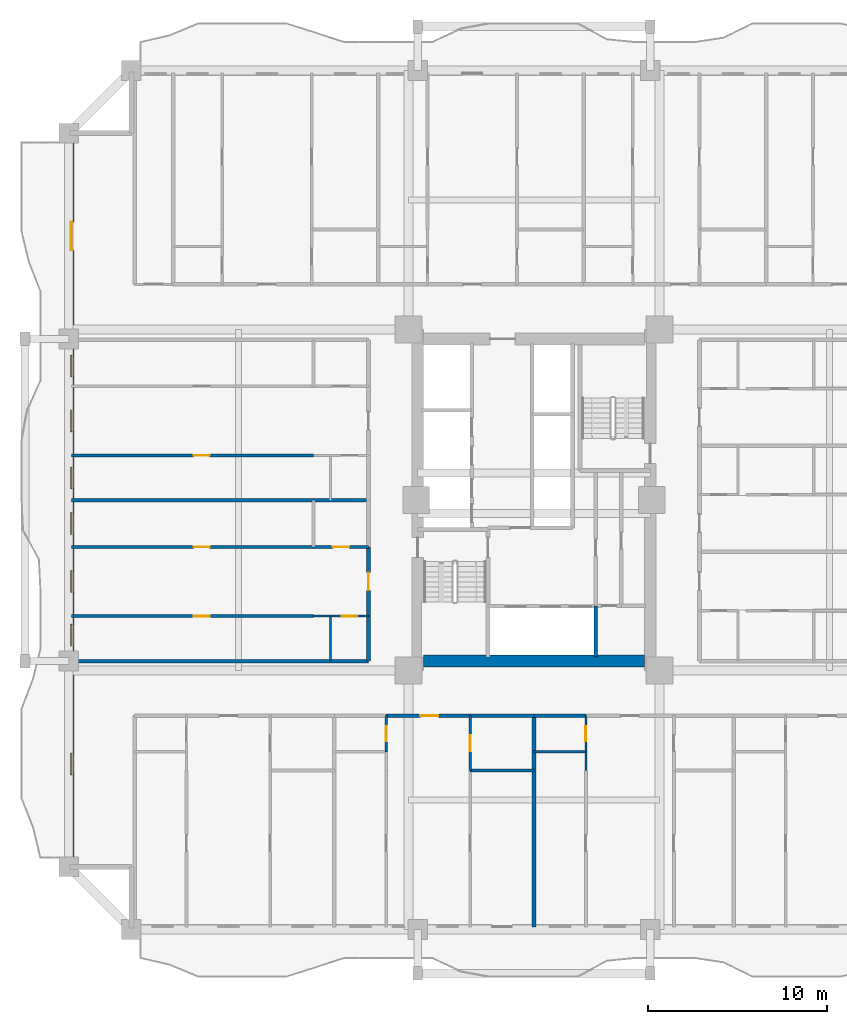
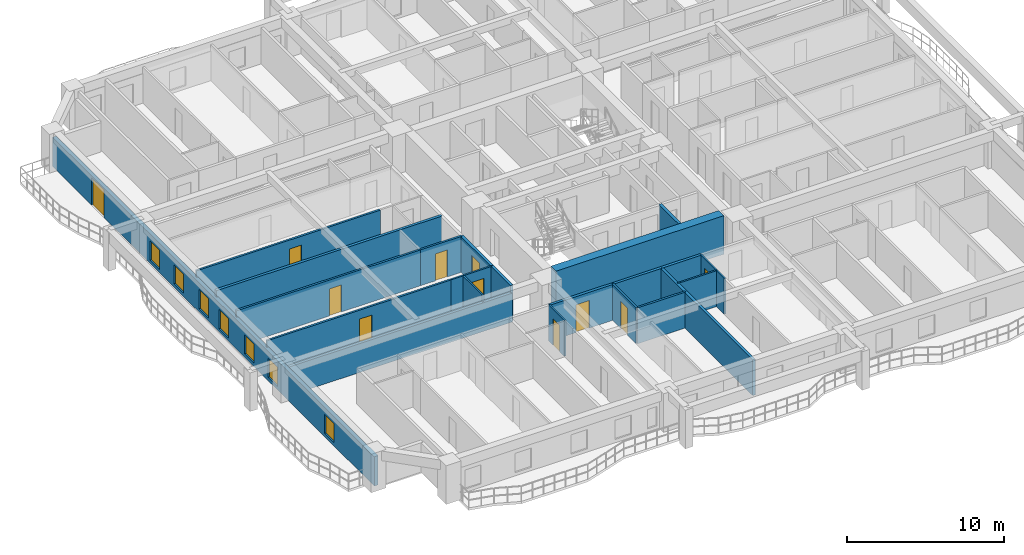
# One storey, part 3 of 16: 24 walls, 11 doors, 7 windows, 18 openings.
"""IFC4 building model written with IfcOpenShell, lengths in metres."""

import ifcopenshell
import ifcopenshell.guid

model = None  # the IFC model being written
_history = None  # IfcOwnerHistory: only IFC2X3 demands one
_inside = {}  # id of a spatial element -> (the spatial element, [elements in it])
_under = {}  # id of a project, library or spatial element -> (it, [spatial elements below it])
_declared = {}  # id of a project -> (the project, [libraries it declares])
_typed = {}  # id of a type object -> (the type object, [elements of that type])
_made_of = {}  # id of a material, layer set ... -> (it, [elements and type objects made of it])


def new_model(schema):
    """Start an empty IFC model of exactly this schema.

    Asked for "IFC4X3", IfcOpenShell would pick the latest addendum, in which some entities
    have other attributes; the version numbers below select the first issue.
    IFC2X3 requires an IfcOwnerHistory on every rooted entity: one is made here for all.
    """
    global model, _history
    if schema == "IFC4X3":
        model = ifcopenshell.file(schema_version=(4, 3, 0, 0))
    else:
        model = ifcopenshell.file(schema=schema)
    _inside.clear()
    _under.clear()
    _declared.clear()
    _typed.clear()
    _made_of.clear()
    _history = None
    if model.schema == "IFC2X3":
        org = make("IfcOrganization", Name="unknown")
        user = make(
            "IfcPersonAndOrganization",
            ThePerson=make("IfcPerson", FamilyName="unknown"),
            TheOrganization=org,
        )
        app = make(
            "IfcApplication",
            ApplicationDeveloper=org,
            Version="unknown",
            ApplicationFullName="unknown",
            ApplicationIdentifier="unknown",
        )
        _history = make(
            "IfcOwnerHistory",
            OwningUser=user,
            OwningApplication=app,
            ChangeAction="ADDED",
            CreationDate=0,
        )
    return model


def make(cls, **values):
    """One entity of the class cls with the attributes given. An attribute that is None is left unset."""
    return model.create_entity(
        cls, **{name: value for name, value in values.items() if value is not None}
    )


def rooted(cls, **values):
    """An entity with a GlobalId (a new one), such as an element, a storey or a relation."""
    return make(cls, GlobalId=ifcopenshell.guid.new(), OwnerHistory=_history, **values)


def si_unit(unit_type, name, prefix=None):
    """IfcSIUnit, for example si_unit("LENGTHUNIT", "METRE", prefix="MILLI")."""
    return make("IfcSIUnit", UnitType=unit_type, Prefix=prefix, Name=name)


def assignment(units):
    """IfcUnitAssignment: the units of a project."""
    return None if units is None else make("IfcUnitAssignment", Units=units)


def point(xyz):
    """IfcCartesianPoint."""
    return None if xyz is None else make("IfcCartesianPoint", Coordinates=xyz)


def direction(xyz):
    """IfcDirection."""
    return None if xyz is None else make("IfcDirection", DirectionRatios=xyz)


def frame(location, z_axis=None, x_axis=None):
    """IfcAxis2Placement3D, a coordinate frame: its origin and axes. An axis left out is left unset."""
    return make(
        "IfcAxis2Placement3D",
        Location=point(location),
        Axis=direction(z_axis),
        RefDirection=direction(x_axis),
    )


def frame_2d(location, x_axis=None):
    """IfcAxis2Placement2D, a coordinate frame in the plane: its origin and x axis."""
    return make(
        "IfcAxis2Placement2D", Location=point(location), RefDirection=direction(x_axis)
    )


def origin():
    """The frame at (0, 0, 0) with its axes left unset."""
    return frame((0.0, 0.0, 0.0))


def place(relative_to, where):
    """IfcLocalPlacement: puts the frame where relative to a parent placement (None: the world)."""
    return make(
        "IfcLocalPlacement", PlacementRelTo=relative_to, RelativePlacement=where
    )


def context(
    kind, dimensions, precision=None, world=None, true_north=None, identifier=None
):
    """IfcGeometricRepresentationContext, for example the 3D "Model" context."""
    return make(
        "IfcGeometricRepresentationContext",
        ContextIdentifier=identifier,
        ContextType=kind,
        CoordinateSpaceDimension=dimensions,
        Precision=precision,
        WorldCoordinateSystem=world,
        TrueNorth=true_north,
    )


def subcontext(parent, identifier, kind, view, scale=None):
    """IfcGeometricRepresentationSubContext, for example "Body" below "Model"."""
    return make(
        "IfcGeometricRepresentationSubContext",
        ContextIdentifier=identifier,
        ContextType=kind,
        ParentContext=parent,
        TargetScale=scale,
        TargetView=view,
    )


def project(units=None, contexts=None):
    """IfcProject with its units and contexts."""
    return rooted(
        "IfcProject",
        Name="project",
        RepresentationContexts=contexts,
        UnitsInContext=assignment(units),
    )


def spatial(cls, under=None, at=None, **own):
    """A site, building, storey or space (cls), placed at a placement, below another one or the project."""
    s = rooted(cls, ObjectPlacement=at, **own)
    if under is not None:
        _under.setdefault(under.id(), (under, []))[1].append(s)
    return s


def profile(cls, at=None, kind="AREA", **sizes):
    """A parametric profile (cls). Its sizes go by their IFC names, for example OverallWidth=200.0."""
    return make(cls, ProfileType=kind, Position=at, **sizes)


def rectangle(**sizes):
    """IfcRectangleProfileDef."""
    return profile("IfcRectangleProfileDef", **sizes)


def extrude(swept, where, along, depth):
    """IfcExtrudedAreaSolid: the profile swept, set in the frame where, extruded along a direction by depth."""
    return make(
        "IfcExtrudedAreaSolid",
        SweptArea=swept,
        Position=where,
        ExtrudedDirection=direction(along),
        Depth=depth,
    )


def shape(context_of_items, identifier, shape_type, items):
    """IfcShapeRepresentation: the items that make up one representation, for example the "Body"."""
    return make(
        "IfcShapeRepresentation",
        ContextOfItems=context_of_items,
        RepresentationIdentifier=identifier,
        RepresentationType=shape_type,
        Items=items,
    )


def source(mapping_origin, context_of_items, identifier, shape_type, items):
    """IfcRepresentationMap: a shape defined once, which mapped items show again and again."""
    return make(
        "IfcRepresentationMap",
        MappingOrigin=mapping_origin,
        MappedRepresentation=shape(context_of_items, identifier, shape_type, items),
    )


def transform(
    local_origin,
    x_axis=None,
    y_axis=None,
    z_axis=None,
    scale=None,
    scale2=None,
    scale3=None,
    uniform=True,
):
    """IfcCartesianTransformationOperator3D, or its non-uniform kind. x_axis, y_axis, z_axis: its Axis1, 2, 3."""
    if uniform:
        return make(
            "IfcCartesianTransformationOperator3D",
            Axis1=direction(x_axis),
            Axis2=direction(y_axis),
            LocalOrigin=point(local_origin),
            Scale=scale,
            Axis3=direction(z_axis),
        )
    return make(
        "IfcCartesianTransformationOperator3DnonUniform",
        Axis1=direction(x_axis),
        Axis2=direction(y_axis),
        LocalOrigin=point(local_origin),
        Scale=scale,
        Axis3=direction(z_axis),
        Scale2=scale2,
        Scale3=scale3,
    )


def mapped(mapping_source, mapping_target):
    """IfcMappedItem: shows the shape of a source again, moved by a transform."""
    return make(
        "IfcMappedItem", MappingSource=mapping_source, MappingTarget=mapping_target
    )


def material(Name=None, Category=None):
    """IfcMaterial."""
    return make("IfcMaterial", Name=Name, Category=Category)


def layer(
    of_material, thickness, ventilated=None, Name=None, Category=None, Priority=None
):
    """IfcMaterialLayer: one layer of a wall or slab, of a material (None: an air gap)."""
    return make(
        "IfcMaterialLayer",
        Material=of_material,
        LayerThickness=thickness,
        IsVentilated=ventilated,
        Name=Name,
        Category=Category,
        Priority=Priority,
    )


def layer_set(layers, Name=None):
    """IfcMaterialLayerSet."""
    return make("IfcMaterialLayerSet", MaterialLayers=layers, LayerSetName=Name)


def made_of(thing, what):
    """Note that an element or type object is made of a material, layer set ...; save() writes the relation."""
    if what is not None:
        _made_of.setdefault(what.id(), (what, []))[1].append(thing)
    return thing


def type_object(cls, material=None, **own):
    """A type object (cls), such as IfcWallType, which elements share."""
    return made_of(rooted(cls, **own), material)


def element(
    cls,
    number,
    at=None,
    inside=None,
    cuts=None,
    type_object=None,
    material=None,
    context=None,
    identifier="Body",
    shape_type=None,
    held_by="IfcProductDefinitionShape",
    body=None,
    shapes=None,
    **own,
):
    """One element of the class cls, such as IfcWall. Its Tag is "e" and its number.

    at: its placement. inside: the storey or other place that contains it. cuts: it is an
    opening in that element (IfcRelVoidsElement). A single representation is given by context,
    identifier, shape_type and body (its items); several are given by shapes. held_by: the class
    of the entity that holds the representations. save() writes the other relations.
    """
    e = rooted(cls, Tag="e%d" % number, ObjectPlacement=at, **own)
    if body is not None:
        shapes = [shape(context, identifier, shape_type, body)]
    if shapes is not None:
        e.Representation = make(held_by, Representations=shapes)
    if inside is not None:
        _inside.setdefault(inside.id(), (inside, []))[1].append(e)
    if cuts is not None:
        rooted(
            "IfcRelVoidsElement", RelatingBuildingElement=cuts, RelatedOpeningElement=e
        )
    if type_object is not None:
        _typed.setdefault(type_object.id(), (type_object, []))[1].append(e)
    return made_of(e, material)


def fill(opening, filler):
    """IfcRelFillsElement: the door or window that sits in an opening."""
    return rooted(
        "IfcRelFillsElement",
        RelatingOpeningElement=opening,
        RelatedBuildingElement=filler,
    )


def aggregate(whole, parts):
    """IfcRelAggregates: a whole, such as a stair, and the parts it consists of."""
    return rooted("IfcRelAggregates", RelatingObject=whole, RelatedObjects=parts)


def save(model, path):
    """Write the relations noted so far, then the file.

    IfcRelAggregates (storeys below a building ...), IfcRelContainedInSpatialStructure (elements
    in a storey), IfcRelDefinesByType, IfcRelAssociatesMaterial and IfcRelDeclares: one each for
    every whole, place, type object, material and project.
    """
    for whole, parts in _under.values():
        aggregate(whole, parts)
    for where, things in _inside.values():
        rooted(
            "IfcRelContainedInSpatialStructure",
            RelatedElements=things,
            RelatingStructure=where,
        )
    for kind, things in _typed.values():
        rooted("IfcRelDefinesByType", RelatedObjects=things, RelatingType=kind)
    for what, things in _made_of.values():
        rooted("IfcRelAssociatesMaterial", RelatedObjects=things, RelatingMaterial=what)
    for by, libraries in _declared.values():
        rooted("IfcRelDeclares", RelatingContext=by, RelatedDefinitions=libraries)
    model.write(path)


model = new_model("IFC4")

# Units and contexts
model_context = context("Model", 3, precision=1e-05, world=origin(), true_north=direction((0.0, 1.0)))
body_context = subcontext(model_context, "Body", "Model", "MODEL_VIEW")
ifc_project = project(units=[si_unit("LENGTHUNIT", "METRE"), si_unit("AREAUNIT", "SQUARE_METRE"), si_unit("VOLUMEUNIT", "CUBIC_METRE"), si_unit("PLANEANGLEUNIT", "RADIAN"), si_unit("MASSUNIT", "GRAM", prefix="KILO")], contexts=[model_context])

# Site, building, storey
site_placement = place(None, origin())
site = spatial("IfcSite", under=ifc_project, at=site_placement, CompositionType="ELEMENT")
building_placement = place(site_placement, origin())
building = spatial("IfcBuilding", under=site, at=building_placement, Name="Saelheon Loggia Tower", CompositionType="ELEMENT")
storey_placement = place(building_placement, frame((0.0, 0.0, 37.39990234375)))
storey = spatial("IfcBuildingStorey", under=building, at=storey_placement, Name="L11", CompositionType="ELEMENT", Elevation=37.39990234375)

# Wall
ifc_material_1 = material(Name="Concrete C60/75", Category="concrete")
ifc_layer_1 = layer(ifc_material_1, 0.64990234375)
ifc_layer_set_1 = layer_set([ifc_layer_1], Name="Concrete C60/75")
wall_type_1 = type_object("IfcWallType", Name="Wall_CoreShear_650", PredefinedType="SHEAR", material=ifc_layer_set_1)
wall_1_placement = place(storey_placement, frame((31.824951171875, 18.0, 0.0), z_axis=(0.0, 0.0, 1.0), x_axis=(1.0, 0.0, 0.0)))
element("IfcWall", 1, at=wall_1_placement, inside=storey, type_object=wall_type_1, Name="L11 Core Shear Wall South", PredefinedType="SHEAR", context=body_context, shape_type="SweptSolid", body=[
    extrude(rectangle(XDim=12.35009765625, YDim=0.64990234375, at=frame_2d((6.175048828125, 0.0))), origin(), (0.0, 0.0, 1.0), 3.0),
])

# Wall, openings, windows, door
ifc_material_2 = material(Name="Architectural Precast Concrete C40/50", Category="concrete")
ifc_layer_2 = layer(ifc_material_2, 0.280029296875)
ifc_layer_set_2 = layer_set([ifc_layer_2], Name="Architectural Precast Concrete C40/50")
wall_type_2 = type_object("IfcWallType", Name="Wall_Ext_Loggia_280", PredefinedType="SOLIDWALL", material=ifc_layer_set_2)
wall_2_placement = place(storey_placement, frame((12.139892578125, 6.5, 0.0), z_axis=(0.0, 0.0, 1.0), x_axis=(0.0, 1.0, 0.0)))
wall_2 = element("IfcWall", 2, at=wall_2_placement, inside=storey, type_object=wall_type_2, Name="L11 West Loggia Inner Wall", PredefinedType="SOLIDWALL", context=body_context, shape_type="SweptSolid", body=[
    extrude(rectangle(XDim=41.0, YDim=0.280029296875, at=frame_2d((20.5, 0.0))), origin(), (0.0, 0.0, 1.0), 2.280029296875),
])
opening_1_placement = place(wall_2_placement, frame((5.14990234375, 0.0, 0.25)))
opening_1 = element("IfcOpeningElement", 3, at=opening_1_placement, cuts=wall_2, Name="Opening WN-03", PredefinedType="OPENING", context=body_context, shape_type="SweptSolid", body=[
    extrude(rectangle(XDim=1.199951171875, YDim=1.5, at=frame_2d((0.60009765625, 0.75))), frame((0.0, 0.152099609375, 0.0), z_axis=(0.0, -1.0, 0.0), x_axis=(1.0, 0.0, 0.0)), (0.0, 0.0, 1.0), 0.303955078125),
])
opening_2_placement = place(wall_2_placement, frame((12.3515625, 0.0, 0.25)))
opening_2 = element("IfcOpeningElement", 4, at=opening_2_placement, cuts=wall_2, Name="Opening WN-03", PredefinedType="OPENING", context=body_context, shape_type="SweptSolid", body=[
    extrude(rectangle(XDim=1.199951171875, YDim=1.5, at=frame_2d((0.60009765625, 0.75))), frame((0.0, 0.152099609375, 0.0), z_axis=(0.0, -1.0, 0.0), x_axis=(1.0, 0.0, 0.0)), (0.0, 0.0, 1.0), 0.303955078125),
])
opening_3_placement = place(wall_2_placement, frame((15.343994140625, 0.0, 0.25)))
opening_3 = element("IfcOpeningElement", 5, at=opening_3_placement, cuts=wall_2, Name="Opening WN-03", PredefinedType="OPENING", context=body_context, shape_type="SweptSolid", body=[
    extrude(rectangle(XDim=1.199951171875, YDim=1.5, at=frame_2d((0.60009765625, 0.75))), frame((0.0, 0.152099609375, 0.0), z_axis=(0.0, -1.0, 0.0), x_axis=(1.0, 0.0, 0.0)), (0.0, 0.0, 1.0), 0.303955078125),
])
opening_4_placement = place(wall_2_placement, frame((18.574951171875, 0.0, 0.25)))
opening_4 = element("IfcOpeningElement", 6, at=opening_4_placement, cuts=wall_2, Name="Opening WN-03", PredefinedType="OPENING", context=body_context, shape_type="SweptSolid", body=[
    extrude(rectangle(XDim=1.199951171875, YDim=1.5, at=frame_2d((0.60009765625, 0.75))), frame((0.0, 0.152099609375, 0.0), z_axis=(0.0, -1.0, 0.0), x_axis=(1.0, 0.0, 0.0)), (0.0, 0.0, 1.0), 0.303955078125),
])
opening_5_placement = place(wall_2_placement, frame((21.131591796875, 0.0, 0.25)))
opening_5 = element("IfcOpeningElement", 7, at=opening_5_placement, cuts=wall_2, Name="Opening WN-03", PredefinedType="OPENING", context=body_context, shape_type="SweptSolid", body=[
    extrude(rectangle(XDim=1.199951171875, YDim=1.5, at=frame_2d((0.60009765625, 0.75))), frame((0.0, 0.152099609375, 0.0), z_axis=(0.0, -1.0, 0.0), x_axis=(1.0, 0.0, 0.0)), (0.0, 0.0, 1.0), 0.303955078125),
])
opening_6_placement = place(wall_2_placement, frame((24.319091796875, 0.0, 0.25)))
opening_6 = element("IfcOpeningElement", 8, at=opening_6_placement, cuts=wall_2, Name="Opening WN-03", PredefinedType="OPENING", context=body_context, shape_type="SweptSolid", body=[
    extrude(rectangle(XDim=1.199951171875, YDim=1.5, at=frame_2d((0.60009765625, 0.75))), frame((0.0, 0.152099609375, 0.0), z_axis=(0.0, -1.0, 0.0), x_axis=(1.0, 0.0, 0.0)), (0.0, 0.0, 1.0), 0.303955078125),
])
opening_7_placement = place(wall_2_placement, frame((27.3798828125, 0.0, 0.25)))
opening_7 = element("IfcOpeningElement", 9, at=opening_7_placement, cuts=wall_2, Name="Opening WN-03", PredefinedType="OPENING", context=body_context, shape_type="SweptSolid", body=[
    extrude(rectangle(XDim=1.199951171875, YDim=1.5, at=frame_2d((0.60009765625, 0.75))), frame((0.0, 0.152099609375, 0.0), z_axis=(0.0, -1.0, 0.0), x_axis=(1.0, 0.0, 0.0)), (0.0, 0.0, 1.0), 0.303955078125),
])
opening_8_placement = place(wall_2_placement, frame((34.449951171875, 0.0, 0.0)))
opening_8 = element("IfcOpeningElement", 10, at=opening_8_placement, cuts=wall_2, Name="Opening DLG-1", PredefinedType="OPENING", context=body_context, shape_type="SweptSolid", body=[
    extrude(rectangle(XDim=1.60009765625, YDim=2.14990234375, at=frame_2d((0.800048828125, 1.074951171875))), frame((0.0, 0.152099609375, 0.0), z_axis=(0.0, -1.0, 0.0), x_axis=(1.0, 0.0, 0.0)), (0.0, 0.0, 1.0), 0.303955078125),
])
ifc_material_3 = material(Name="Thermal-Break Aluminium and Triple Low-E Glass", Category="aluminium")
window_type = type_object("IfcWindowType", Name="Win_Bedroom_1200x1500", PartitioningType="SINGLE_PANEL", PredefinedType="WINDOW", material=ifc_material_3)
shared_shape_1 = source(origin(), body_context, "Body", "SweptSolid", [
    extrude(rectangle(XDim=1.199951171875, YDim=1.5, at=frame_2d((0.60009765625, 0.75))), frame((0.0, 0.030029296875, 0.0), z_axis=(0.0, -1.0, 0.0), x_axis=(1.0, 0.0, 0.0)), (0.0, 0.0, 1.0), 0.06005859375),
])
window_1_placement = place(opening_1_placement, origin())
window_1 = element("IfcWindow", 11, at=window_1_placement, inside=storey, type_object=window_type, Name="L11 W Dwelling Window 1", OverallHeight=1.5, OverallWidth=1.199951171875, PartitioningType="SINGLE_PANEL", PredefinedType="WINDOW", context=body_context, shape_type="MappedRepresentation", body=[
    mapped(shared_shape_1, transform((0.0, 0.0, 0.0), scale=1.0)),
])
fill(opening_1, window_1)
window_2_placement = place(opening_2_placement, origin())
window_2 = element("IfcWindow", 12, at=window_2_placement, inside=storey, type_object=window_type, Name="L11 W Dwelling Window 2", OverallHeight=1.5, OverallWidth=1.199951171875, PartitioningType="SINGLE_PANEL", PredefinedType="WINDOW", context=body_context, shape_type="MappedRepresentation", body=[
    mapped(shared_shape_1, transform((0.0, 0.0, 0.0), scale=1.0)),
])
fill(opening_2, window_2)
window_3_placement = place(opening_3_placement, origin())
window_3 = element("IfcWindow", 13, at=window_3_placement, inside=storey, type_object=window_type, Name="L11 W Dwelling Window 3", OverallHeight=1.5, OverallWidth=1.199951171875, PartitioningType="SINGLE_PANEL", PredefinedType="WINDOW", context=body_context, shape_type="MappedRepresentation", body=[
    mapped(shared_shape_1, transform((0.0, 0.0, 0.0), scale=1.0)),
])
fill(opening_3, window_3)
window_4_placement = place(opening_4_placement, origin())
window_4 = element("IfcWindow", 14, at=window_4_placement, inside=storey, type_object=window_type, Name="L11 W Dwelling Window 4", OverallHeight=1.5, OverallWidth=1.199951171875, PartitioningType="SINGLE_PANEL", PredefinedType="WINDOW", context=body_context, shape_type="MappedRepresentation", body=[
    mapped(shared_shape_1, transform((0.0, 0.0, 0.0), scale=1.0)),
])
fill(opening_4, window_4)
window_5_placement = place(opening_5_placement, origin())
window_5 = element("IfcWindow", 15, at=window_5_placement, inside=storey, type_object=window_type, Name="L11 W Dwelling Window 5", OverallHeight=1.5, OverallWidth=1.199951171875, PartitioningType="SINGLE_PANEL", PredefinedType="WINDOW", context=body_context, shape_type="MappedRepresentation", body=[
    mapped(shared_shape_1, transform((0.0, 0.0, 0.0), scale=1.0)),
])
fill(opening_5, window_5)
window_6_placement = place(opening_6_placement, origin())
window_6 = element("IfcWindow", 16, at=window_6_placement, inside=storey, type_object=window_type, Name="L11 W Dwelling Window 6", OverallHeight=1.5, OverallWidth=1.199951171875, PartitioningType="SINGLE_PANEL", PredefinedType="WINDOW", context=body_context, shape_type="MappedRepresentation", body=[
    mapped(shared_shape_1, transform((0.0, 0.0, 0.0), scale=1.0)),
])
fill(opening_6, window_6)
window_7_placement = place(opening_7_placement, origin())
window_7 = element("IfcWindow", 17, at=window_7_placement, inside=storey, type_object=window_type, Name="L11 W Dwelling Window 7", OverallHeight=1.5, OverallWidth=1.199951171875, PartitioningType="SINGLE_PANEL", PredefinedType="WINDOW", context=body_context, shape_type="MappedRepresentation", body=[
    mapped(shared_shape_1, transform((0.0, 0.0, 0.0), scale=1.0)),
])
fill(opening_7, window_7)
ifc_material_4 = material(Name="Thermal-Break Aluminium Sliding Glazed Door", Category="aluminium")
door_type_1 = type_object("IfcDoorType", Name="Door_LoggiaSlide_1600", OperationType="SLIDING_TO_LEFT", PredefinedType="DOOR", material=ifc_material_4)
shared_shape_2 = source(origin(), body_context, "Body", "SweptSolid", [
    extrude(rectangle(XDim=1.60009765625, YDim=2.14990234375, at=frame_2d((0.800048828125, 1.074951171875))), frame((0.0, 0.02490234375, 0.0), z_axis=(0.0, -1.0, 0.0), x_axis=(1.0, 0.0, 0.0)), (0.0, 0.0, 1.0), 0.050048828125),
])
door_1_placement = place(opening_8_placement, origin())
door_1 = element("IfcDoor", 18, at=door_1_placement, inside=storey, type_object=door_type_1, Name="L11 W Loggia Access Door", OperationType="SLIDING_TO_LEFT", OverallHeight=2.14990234375, OverallWidth=1.60009765625, PredefinedType="DOOR", context=body_context, shape_type="MappedRepresentation", body=[
    mapped(shared_shape_2, transform((0.0, 0.0, 0.0), scale=1.0)),
])
fill(opening_8, door_1)

# Wall
ifc_material_5 = material(Name="Lightweight Autoclaved Aerated Concrete Block and Acoustic Gypsum", Category="concrete")
ifc_layer_3 = layer(ifc_material_5, 0.14990234375)
ifc_layer_set_3 = layer_set([ifc_layer_3], Name="Lightweight Autoclaved Aerated Concrete Block and Acoustic Gypsum")
wall_type_3 = type_object("IfcWallType", Name="Wall_Part_150", PredefinedType="PARTITIONING", material=ifc_layer_set_3)
wall_3_placement = place(storey_placement, frame((34.4287109375, 11.8798828125, 0.0), z_axis=(0.0, 0.0, 1.0), x_axis=(1.0, 0.0, 0.0)))
element("IfcWall", 19, at=wall_3_placement, inside=storey, type_object=wall_type_3, Name="L11 S Partition V18", PredefinedType="PARTITIONING", context=body_context, shape_type="SweptSolid", body=[
    extrude(rectangle(XDim=3.5712890625, YDim=0.14990234375, at=frame_2d((1.78564453125, 0.0))), origin(), (0.0, 0.0, 1.0), 2.7900390625),
])

# Wall, opening, door
wall_4_placement = place(storey_placement, frame((34.4287109375, 14.949951171875, 0.0), z_axis=(0.0, 0.0, 1.0), x_axis=(0.0, -1.0, 0.0)))
wall_4 = element("IfcWall", 20, at=wall_4_placement, inside=storey, type_object=wall_type_3, Name="L11 S Partition U22", PredefinedType="PARTITIONING", context=body_context, shape_type="SweptSolid", body=[
    extrude(rectangle(XDim=3.070068359375, YDim=0.14990234375, at=frame_2d((1.53515625, 0.0))), origin(), (0.0, 0.0, 1.0), 2.7900390625),
])
opening_9_placement = place(wall_4_placement, frame((1.0849609375, 0.0, 0.0)))
opening_9 = element("IfcOpeningElement", 21, at=opening_9_placement, cuts=wall_4, Name="Opening D-IN2", PredefinedType="OPENING", context=body_context, shape_type="SweptSolid", body=[
    extrude(rectangle(XDim=0.89990234375, YDim=2.10009765625, at=frame_2d((0.449951171875, 1.050048828125))), frame((0.0, 0.0869140625, 0.0), z_axis=(0.0, -1.0, 0.0), x_axis=(1.0, 0.0, 0.0)), (0.0, 0.0, 1.0), 0.173828125),
])
ifc_material_6 = material(Name="Engineered Oak Flush Door", Category="timber")
door_type_2 = type_object("IfcDoorType", Name="Door_Int_900", OperationType="NOTDEFINED", PredefinedType="DOOR", material=ifc_material_6)
shared_shape_3 = source(origin(), body_context, "Body", "SweptSolid", [
    extrude(rectangle(XDim=0.89990234375, YDim=2.10009765625, at=frame_2d((0.449951171875, 1.050048828125))), frame((0.0, 0.02490234375, 0.0), z_axis=(0.0, -1.0, 0.0), x_axis=(1.0, 0.0, 0.0)), (0.0, 0.0, 1.0), 0.050048828125),
])
door_2_placement = place(opening_9_placement, origin())
door_2 = element("IfcDoor", 22, at=door_2_placement, inside=storey, type_object=door_type_2, Name="Unit U02 Kitchen Door", OperationType="SINGLE_SWING_LEFT", OverallHeight=2.10009765625, OverallWidth=0.89990234375, PredefinedType="DOOR", context=body_context, shape_type="MappedRepresentation", body=[
    mapped(shared_shape_3, transform((0.0, 0.0, 0.0), scale=1.0)),
])
fill(opening_9, door_2)

wall_5_placement = place(storey_placement, frame((25.679931640625, 20.512939453125, 0.0), z_axis=(0.0, 0.0, 1.0), x_axis=(-1.0, 0.0, 0.0)))
wall_5 = element("IfcWall", 23, at=wall_5_placement, inside=storey, type_object=wall_type_3, Name="L11 W Partition U10", PredefinedType="PARTITIONING", context=body_context, shape_type="SweptSolid", body=[
    extrude(rectangle(XDim=13.530029296875, YDim=0.14990234375, at=frame_2d((6.76513671875, 0.0))), origin(), (0.0, 0.0, 1.0), 2.7900390625),
])
opening_10_placement = place(wall_5_placement, frame((5.80859375, 0.0, 0.0)))
opening_10 = element("IfcOpeningElement", 24, at=opening_10_placement, cuts=wall_5, Name="Opening D-IN2", PredefinedType="OPENING", context=body_context, shape_type="SweptSolid", body=[
    extrude(rectangle(XDim=0.89990234375, YDim=2.10009765625, at=frame_2d((0.449951171875, 1.050048828125))), frame((0.0, 0.0869140625, 0.0), z_axis=(0.0, -1.0, 0.0), x_axis=(1.0, 0.0, 0.0)), (0.0, 0.0, 1.0), 0.173828125),
])
door_3_placement = place(opening_10_placement, origin())
door_3 = element("IfcDoor", 25, at=door_3_placement, inside=storey, type_object=door_type_2, Name="Unit U09 Kitchen Door", OperationType="SINGLE_SWING_RIGHT", OverallHeight=2.10009765625, OverallWidth=0.89990234375, PredefinedType="DOOR", context=body_context, shape_type="MappedRepresentation", body=[
    mapped(shared_shape_3, transform((0.0, 0.0, 0.0), scale=1.0)),
])
fill(opening_10, door_3)

wall_6_placement = place(storey_placement, frame((28.75, 24.375, 0.0), z_axis=(0.0, 0.0, 1.0), x_axis=(-1.0, 0.0, 0.0)))
wall_6 = element("IfcWall", 26, at=wall_6_placement, inside=storey, type_object=wall_type_3, Name="L11 W Partition U11", PredefinedType="PARTITIONING", context=body_context, shape_type="SweptSolid", body=[
    extrude(rectangle(XDim=3.070068359375, YDim=0.14990234375, at=frame_2d((1.53515625, 0.0))), origin(), (0.0, 0.0, 1.0), 2.7900390625),
])
opening_11_placement = place(wall_6_placement, frame((1.0849609375, 0.0, 0.0)))
opening_11 = element("IfcOpeningElement", 27, at=opening_11_placement, cuts=wall_6, Name="Opening D-IN2", PredefinedType="OPENING", context=body_context, shape_type="SweptSolid", body=[
    extrude(rectangle(XDim=0.89990234375, YDim=2.10009765625, at=frame_2d((0.449951171875, 1.050048828125))), frame((0.0, 0.0869140625, 0.0), z_axis=(0.0, -1.0, 0.0), x_axis=(1.0, 0.0, 0.0)), (0.0, 0.0, 1.0), 0.173828125),
])
door_4_placement = place(opening_11_placement, origin())
door_4 = element("IfcDoor", 28, at=door_4_placement, inside=storey, type_object=door_type_2, Name="Unit U09 Dressing Closet Door", OperationType="SINGLE_SWING_LEFT", OverallHeight=2.10009765625, OverallWidth=0.89990234375, PredefinedType="DOOR", context=body_context, shape_type="MappedRepresentation", body=[
    mapped(shared_shape_3, transform((0.0, 0.0, 0.0), scale=1.0)),
])
fill(opening_11, door_4)

wall_7_placement = place(storey_placement, frame((25.679931640625, 24.375, 0.0), z_axis=(0.0, 0.0, 1.0), x_axis=(-1.0, 0.0, 0.0)))
wall_7 = element("IfcWall", 29, at=wall_7_placement, inside=storey, type_object=wall_type_3, Name="L11 W Partition U12", PredefinedType="PARTITIONING", context=body_context, shape_type="SweptSolid", body=[
    extrude(rectangle(XDim=13.530029296875, YDim=0.14990234375, at=frame_2d((6.76513671875, 0.0))), origin(), (0.0, 0.0, 1.0), 2.7900390625),
])
opening_12_placement = place(wall_7_placement, frame((5.80859375, 0.0, 0.0)))
opening_12 = element("IfcOpeningElement", 30, at=opening_12_placement, cuts=wall_7, Name="Opening D-IN2", PredefinedType="OPENING", context=body_context, shape_type="SweptSolid", body=[
    extrude(rectangle(XDim=0.89990234375, YDim=2.10009765625, at=frame_2d((0.449951171875, 1.050048828125))), frame((0.0, 0.0869140625, 0.0), z_axis=(0.0, -1.0, 0.0), x_axis=(1.0, 0.0, 0.0)), (0.0, 0.0, 1.0), 0.173828125),
])
door_5_placement = place(opening_12_placement, origin())
door_5 = element("IfcDoor", 31, at=door_5_placement, inside=storey, type_object=door_type_2, Name="Unit U09 Bedroom 1 Door", OperationType="SINGLE_SWING_RIGHT", OverallHeight=2.10009765625, OverallWidth=0.89990234375, PredefinedType="DOOR", context=body_context, shape_type="MappedRepresentation", body=[
    mapped(shared_shape_3, transform((0.0, 0.0, 0.0), scale=1.0)),
])
fill(opening_12, door_5)

wall_8_placement = place(storey_placement, frame((25.679931640625, 29.488037109375, 0.0), z_axis=(0.0, 0.0, 1.0), x_axis=(-1.0, 0.0, 0.0)))
wall_8 = element("IfcWall", 32, at=wall_8_placement, inside=storey, type_object=wall_type_3, Name="L11 W Partition U21", PredefinedType="PARTITIONING", context=body_context, shape_type="SweptSolid", body=[
    extrude(rectangle(XDim=13.530029296875, YDim=0.14990234375, at=frame_2d((6.76513671875, 0.0))), origin(), (0.0, 0.0, 1.0), 2.7900390625),
])
opening_13_placement = place(wall_8_placement, frame((5.80859375, 0.0, 0.0)))
opening_13 = element("IfcOpeningElement", 33, at=opening_13_placement, cuts=wall_8, Name="Opening D-IN2", PredefinedType="OPENING", context=body_context, shape_type="SweptSolid", body=[
    extrude(rectangle(XDim=0.89990234375, YDim=2.10009765625, at=frame_2d((0.449951171875, 1.050048828125))), frame((0.0, 0.0869140625, 0.0), z_axis=(0.0, -1.0, 0.0), x_axis=(1.0, 0.0, 0.0)), (0.0, 0.0, 1.0), 0.173828125),
])
door_6_placement = place(opening_13_placement, origin())
door_6 = element("IfcDoor", 34, at=door_6_placement, inside=storey, type_object=door_type_2, Name="Unit U10 Kitchen Door", OperationType="SINGLE_SWING_LEFT", OverallHeight=2.10009765625, OverallWidth=0.89990234375, PredefinedType="DOOR", context=body_context, shape_type="MappedRepresentation", body=[
    mapped(shared_shape_3, transform((0.0, 0.0, 0.0), scale=1.0)),
])
fill(opening_13, door_6)

ifc_material_7 = material(Name="Double Acoustic Stud and Fireboard Partition", Category="gypsum")
ifc_layer_4 = layer(ifc_material_7, 0.199951171875)
ifc_layer_set_4 = layer_set([ifc_layer_4], Name="Double Acoustic Stud and Fireboard Partition")
wall_type_4 = type_object("IfcWallType", Name="Wall_Party_200", PredefinedType="PARTITIONING", material=ifc_layer_set_4)
wall_9_placement = place(storey_placement, frame((29.74169921875, 14.949951171875, 0.0), z_axis=(0.0, 0.0, 1.0), x_axis=(1.0, 0.0, 0.0)))
wall_9 = element("IfcWall", 35, at=wall_9_placement, inside=storey, type_object=wall_type_4, Name="L11 S Partition V15", PredefinedType="PARTITIONING", context=body_context, shape_type="SweptSolid", body=[
    extrude(rectangle(XDim=4.68701171875, YDim=0.199951171875, at=frame_2d((2.343505859375, 0.0))), origin(), (0.0, 0.0, 1.0), 2.7900390625),
])
opening_14_placement = place(wall_9_placement, frame((1.90966796875, 0.0, 0.0)))
opening_14 = element("IfcOpeningElement", 36, at=opening_14_placement, cuts=wall_9, Name="Opening D-FD1", PredefinedType="OPENING", context=body_context, shape_type="SweptSolid", body=[
    extrude(rectangle(XDim=1.0, YDim=2.14990234375, at=frame_2d((0.5, 1.074951171875))), frame((0.0, 0.112060546875, 0.0), z_axis=(0.0, -1.0, 0.0), x_axis=(1.0, 0.0, 0.0)), (0.0, 0.0, 1.0), 0.223876953125),
])
ifc_material_8 = material(Name="Fire-Rated Engineered Timber Entrance Door", Category="wood")
door_type_3 = type_object("IfcDoorType", Name="Door_Flat_FD30S", OperationType="NOTDEFINED", PredefinedType="DOOR", material=ifc_material_8)
shared_shape_4 = source(origin(), body_context, "Body", "SweptSolid", [
    extrude(rectangle(XDim=1.0, YDim=2.14990234375, at=frame_2d((0.5, 1.074951171875))), frame((0.0, 0.02490234375, 0.0), z_axis=(0.0, -1.0, 0.0), x_axis=(1.0, 0.0, 0.0)), (0.0, 0.0, 1.0), 0.050048828125),
])
door_7_placement = place(opening_14_placement, origin())
door_7 = element("IfcDoor", 37, at=door_7_placement, inside=storey, type_object=door_type_3, Name="Unit U02 Entrance Door", OperationType="SINGLE_SWING_RIGHT", OverallHeight=2.14990234375, OverallWidth=1.0, PredefinedType="DOOR", context=body_context, shape_type="MappedRepresentation", body=[
    mapped(shared_shape_4, transform((0.0, 0.0, 0.0), scale=1.0)),
])
fill(opening_14, door_7)

# Walls
wall_10_placement = place(storey_placement, frame((34.4287109375, 14.949951171875, 0.0), z_axis=(0.0, 0.0, 1.0), x_axis=(1.0, 0.0, 0.0)))
element("IfcWall", 38, at=wall_10_placement, inside=storey, type_object=wall_type_4, Name="L11 S Partition V16", PredefinedType="PARTITIONING", context=body_context, shape_type="SweptSolid", body=[
    extrude(rectangle(XDim=3.5712890625, YDim=0.199951171875, at=frame_2d((1.78564453125, 0.0))), origin(), (0.0, 0.0, 1.0), 2.7900390625),
])
wall_11_placement = place(storey_placement, frame((38.0, 14.949951171875, 0.0), z_axis=(0.0, 0.0, 1.0), x_axis=(0.0, -1.0, 0.0)))
element("IfcWall", 39, at=wall_11_placement, inside=storey, type_object=wall_type_4, Name="L11 S Partition U24", PredefinedType="PARTITIONING", context=body_context, shape_type="SweptSolid", body=[
    extrude(rectangle(XDim=11.800048828125, YDim=0.199951171875, at=frame_2d((5.89990234375, 0.0))), origin(), (0.0, 0.0, 1.0), 2.7900390625),
])
wall_12_placement = place(storey_placement, frame((38.0, 14.949951171875, 0.0), z_axis=(0.0, 0.0, 1.0), x_axis=(1.0, 0.0, 0.0)))
element("IfcWall", 40, at=wall_12_placement, inside=storey, type_object=wall_type_4, Name="L11 S Partition V25", PredefinedType="PARTITIONING", context=body_context, shape_type="SweptSolid", body=[
    extrude(rectangle(XDim=2.901611328125, YDim=0.199951171875, at=frame_2d((1.45068359375, 0.0))), origin(), (0.0, 0.0, 1.0), 2.7900390625),
])
wall_13_placement = place(storey_placement, frame((28.75, 18.0, 0.0), z_axis=(0.0, 0.0, 1.0), x_axis=(-1.0, 0.0, 0.0)))
element("IfcWall", 41, at=wall_13_placement, inside=storey, type_object=wall_type_4, Name="L11 W Partition U01", PredefinedType="PARTITIONING", context=body_context, shape_type="SweptSolid", body=[
    extrude(rectangle(XDim=16.60009765625, YDim=0.199951171875, at=frame_2d((8.300048828125, 0.0))), origin(), (0.0, 0.0, 1.0), 2.239990234375),
])
wall_14_placement = place(storey_placement, frame((28.75, 18.0, 0.0), z_axis=(0.0, 0.0, 1.0), x_axis=(0.0, 1.0, 0.0)))
element("IfcWall", 42, at=wall_14_placement, inside=storey, type_object=wall_type_4, Name="L11 W Partition V03", PredefinedType="PARTITIONING", context=body_context, shape_type="SweptSolid", body=[
    extrude(rectangle(XDim=2.512939453125, YDim=0.199951171875, at=frame_2d((1.25634765625, 0.0))), origin(), (0.0, 0.0, 1.0), 2.7900390625),
])

# Wall, opening, door
wall_15_placement = place(storey_placement, frame((28.75, 20.512939453125, 0.0), z_axis=(0.0, 0.0, 1.0), x_axis=(0.0, 1.0, 0.0)))
wall_15 = element("IfcWall", 43, at=wall_15_placement, inside=storey, type_object=wall_type_4, Name="L11 W Partition V04", PredefinedType="PARTITIONING", context=body_context, shape_type="SweptSolid", body=[
    extrude(rectangle(XDim=3.862060546875, YDim=0.199951171875, at=frame_2d((1.93115234375, 0.0))), origin(), (0.0, 0.0, 1.0), 2.7900390625),
])
opening_15_placement = place(wall_15_placement, frame((1.430908203125, 0.0, 0.0)))
opening_15 = element("IfcOpeningElement", 44, at=opening_15_placement, cuts=wall_15, Name="Opening D-FD1", PredefinedType="OPENING", context=body_context, shape_type="SweptSolid", body=[
    extrude(rectangle(XDim=1.0, YDim=2.14990234375, at=frame_2d((0.5, 1.074951171875))), frame((0.0, 0.112060546875, 0.0), z_axis=(0.0, -1.0, 0.0), x_axis=(1.0, 0.0, 0.0)), (0.0, 0.0, 1.0), 0.223876953125),
])
door_8_placement = place(opening_15_placement, origin())
door_8 = element("IfcDoor", 45, at=door_8_placement, inside=storey, type_object=door_type_3, Name="Unit U09 Entrance Door", OperationType="SINGLE_SWING_RIGHT", OverallHeight=2.14990234375, OverallWidth=1.0, PredefinedType="DOOR", context=body_context, shape_type="MappedRepresentation", body=[
    mapped(shared_shape_4, transform((0.0, 0.0, 0.0), scale=1.0)),
])
fill(opening_15, door_8)

# Walls
wall_16_placement = place(storey_placement, frame((28.75, 26.97509765625, 0.0), z_axis=(0.0, 0.0, 1.0), x_axis=(-1.0, 0.0, 0.0)))
element("IfcWall", 46, at=wall_16_placement, inside=storey, type_object=wall_type_4, Name="L11 W Partition U13", PredefinedType="PARTITIONING", context=body_context, shape_type="SweptSolid", body=[
    extrude(rectangle(XDim=16.60009765625, YDim=0.199951171875, at=frame_2d((8.300048828125, 0.0))), origin(), (0.0, 0.0, 1.0), 2.7900390625),
])
ifc_material_9 = material(Name="Concrete C40/50", Category="concrete")
ifc_layer_5 = layer(ifc_material_9, 0.199951171875)
ifc_layer_set_5 = layer_set([ifc_layer_5], Name="Concrete C40/50")
wall_type_5 = type_object("IfcWallType", Name="Wall_Shaft_200", PredefinedType="PARTITIONING", material=ifc_layer_set_5)
wall_17_placement = place(storey_placement, frame((41.449951171875, 18.219970703125, 0.0), z_axis=(0.0, 0.0, 1.0), x_axis=(0.0, 1.0, 0.0)))
element("IfcWall", 47, at=wall_17_placement, inside=storey, type_object=wall_type_5, Name="CW-INT-L11-BOH-W0", PredefinedType="PARTITIONING", context=body_context, shape_type="SweptSolid", body=[
    extrude(rectangle(XDim=2.860107421875, YDim=0.199951171875, at=frame_2d((1.43017578125, 0.0))), origin(), (0.0, 0.0, 1.0), 2.7900390625),
])

# Wall, opening, door
ifc_material_10 = material(Name="Moisture-Resistant Cement Board Partition", Category="gypsum")
ifc_layer_6 = layer(ifc_material_10, 0.1201171875)
ifc_layer_set_6 = layer_set([ifc_layer_6], Name="Moisture-Resistant Cement Board Partition")
wall_type_6 = type_object("IfcWallType", Name="Wall_WetPart_120", PredefinedType="PARTITIONING", material=ifc_layer_set_6)
wall_18_placement = place(storey_placement, frame((29.74169921875, 14.949951171875, 0.0), z_axis=(0.0, 0.0, 1.0), x_axis=(0.0, -1.0, 0.0)))
wall_18 = element("IfcWall", 48, at=wall_18_placement, inside=storey, type_object=wall_type_6, Name="L11 S Partition U19", PredefinedType="PARTITIONING", context=body_context, shape_type="SweptSolid", body=[
    extrude(rectangle(XDim=2.02001953125, YDim=0.1201171875, at=frame_2d((1.010009765625, 0.0))), origin(), (0.0, 0.0, 1.0), 2.7900390625),
])
opening_16_placement = place(wall_18_placement, frame((0.5849609375, 0.0, 0.0)))
opening_16 = element("IfcOpeningElement", 49, at=opening_16_placement, cuts=wall_18, Name="Opening D-BT1", PredefinedType="OPENING", context=body_context, shape_type="SweptSolid", body=[
    extrude(rectangle(XDim=0.85009765625, YDim=2.050048828125, at=frame_2d((0.425048828125, 1.02490234375))), frame((0.0, 0.072021484375, 0.0), z_axis=(0.0, -1.0, 0.0), x_axis=(1.0, 0.0, 0.0)), (0.0, 0.0, 1.0), 0.14404296875),
])
ifc_material_11 = material(Name="Moisture-Resistant Laminate Timber Door", Category="wood")
door_type_4 = type_object("IfcDoorType", Name="Door_Bath_850", OperationType="NOTDEFINED", PredefinedType="DOOR", material=ifc_material_11)
shared_shape_5 = source(origin(), body_context, "Body", "SweptSolid", [
    extrude(rectangle(XDim=0.85009765625, YDim=2.050048828125, at=frame_2d((0.425048828125, 1.02490234375))), frame((0.0, 0.02490234375, 0.0), z_axis=(0.0, -1.0, 0.0), x_axis=(1.0, 0.0, 0.0)), (0.0, 0.0, 1.0), 0.050048828125),
])
door_9_placement = place(opening_16_placement, origin())
door_9 = element("IfcDoor", 50, at=door_9_placement, inside=storey, type_object=door_type_4, Name="Unit U02 Bathroom Door", OperationType="SINGLE_SWING_LEFT", OverallHeight=2.050048828125, OverallWidth=0.85009765625, PredefinedType="DOOR", context=body_context, shape_type="MappedRepresentation", body=[
    mapped(shared_shape_5, transform((0.0, 0.0, 0.0), scale=1.0)),
])
fill(opening_16, door_9)

# Wall
wall_19_placement = place(storey_placement, frame((38.0, 12.929931640625, 0.0), z_axis=(0.0, 0.0, 1.0), x_axis=(1.0, 0.0, 0.0)))
element("IfcWall", 51, at=wall_19_placement, inside=storey, type_object=wall_type_6, Name="L11 S Partition V28", PredefinedType="PARTITIONING", context=body_context, shape_type="SweptSolid", body=[
    extrude(rectangle(XDim=2.901611328125, YDim=0.1201171875, at=frame_2d((1.45068359375, 0.0))), origin(), (0.0, 0.0, 1.0), 2.7900390625),
])

# Wall, opening, door
wall_20_placement = place(storey_placement, frame((40.901611328125, 14.949951171875, 0.0), z_axis=(0.0, 0.0, 1.0), x_axis=(0.0, -1.0, 0.0)))
wall_20 = element("IfcWall", 52, at=wall_20_placement, inside=storey, type_object=wall_type_6, Name="L11 S Partition U30", PredefinedType="PARTITIONING", context=body_context, shape_type="SweptSolid", body=[
    extrude(rectangle(XDim=2.02001953125, YDim=0.1201171875, at=frame_2d((1.010009765625, 0.0))), origin(), (0.0, 0.0, 1.0), 2.7900390625),
])
opening_17_placement = place(wall_20_placement, frame((0.5849609375, 0.0, 0.0)))
opening_17 = element("IfcOpeningElement", 53, at=opening_17_placement, cuts=wall_20, Name="Opening D-BT1", PredefinedType="OPENING", context=body_context, shape_type="SweptSolid", body=[
    extrude(rectangle(XDim=0.85009765625, YDim=2.050048828125, at=frame_2d((0.425048828125, 1.02490234375))), frame((0.0, 0.072021484375, 0.0), z_axis=(0.0, -1.0, 0.0), x_axis=(1.0, 0.0, 0.0)), (0.0, 0.0, 1.0), 0.14404296875),
])
door_10_placement = place(opening_17_placement, origin())
door_10 = element("IfcDoor", 54, at=door_10_placement, inside=storey, type_object=door_type_4, Name="Unit U03 Bathroom Door", OperationType="SINGLE_SWING_RIGHT", OverallHeight=2.050048828125, OverallWidth=0.85009765625, PredefinedType="DOOR", context=body_context, shape_type="MappedRepresentation", body=[
    mapped(shared_shape_5, transform((0.0, 0.0, 0.0), scale=1.0)),
])
fill(opening_17, door_10)

# Walls
wall_21_placement = place(storey_placement, frame((40.901611328125, 12.929931640625, 0.0), z_axis=(0.0, 0.0, 1.0), x_axis=(0.0, -1.0, 0.0)))
element("IfcWall", 55, at=wall_21_placement, inside=storey, type_object=wall_type_6, Name="L11 S Partition U31", PredefinedType="PARTITIONING", context=body_context, shape_type="SweptSolid", body=[
    extrude(rectangle(XDim=1.050048828125, YDim=0.1201171875, at=frame_2d((0.52490234375, 0.0))), origin(), (0.0, 0.0, 1.0), 2.7900390625),
])
wall_22_placement = place(storey_placement, frame((26.6298828125, 18.0, 0.0), z_axis=(0.0, 0.0, 1.0), x_axis=(0.0, 1.0, 0.0)))
element("IfcWall", 56, at=wall_22_placement, inside=storey, type_object=wall_type_6, Name="L11 W Partition V06", PredefinedType="PARTITIONING", context=body_context, shape_type="SweptSolid", body=[
    extrude(rectangle(XDim=2.512939453125, YDim=0.1201171875, at=frame_2d((1.25634765625, 0.0))), origin(), (0.0, 0.0, 1.0), 2.7900390625),
])

# Wall, opening, door
wall_23_placement = place(storey_placement, frame((28.75, 20.512939453125, 0.0), z_axis=(0.0, 0.0, 1.0), x_axis=(-1.0, 0.0, 0.0)))
wall_23 = element("IfcWall", 57, at=wall_23_placement, inside=storey, type_object=wall_type_6, Name="L11 W Partition U08", PredefinedType="PARTITIONING", context=body_context, shape_type="SweptSolid", body=[
    extrude(rectangle(XDim=2.1201171875, YDim=0.1201171875, at=frame_2d((1.06005859375, 0.0))), origin(), (0.0, 0.0, 1.0), 2.7900390625),
])
opening_18_placement = place(wall_23_placement, frame((0.635009765625, 0.0, 0.0)))
opening_18 = element("IfcOpeningElement", 58, at=opening_18_placement, cuts=wall_23, Name="Opening D-BT1", PredefinedType="OPENING", context=body_context, shape_type="SweptSolid", body=[
    extrude(rectangle(XDim=0.85009765625, YDim=2.050048828125, at=frame_2d((0.425048828125, 1.02490234375))), frame((0.0, 0.072021484375, 0.0), z_axis=(0.0, -1.0, 0.0), x_axis=(1.0, 0.0, 0.0)), (0.0, 0.0, 1.0), 0.14404296875),
])
door_11_placement = place(opening_18_placement, origin())
door_11 = element("IfcDoor", 59, at=door_11_placement, inside=storey, type_object=door_type_4, Name="Unit U09 Bathroom Door", OperationType="SINGLE_SWING_LEFT", OverallHeight=2.050048828125, OverallWidth=0.85009765625, PredefinedType="DOOR", context=body_context, shape_type="MappedRepresentation", body=[
    mapped(shared_shape_5, transform((0.0, 0.0, 0.0), scale=1.0)),
])
fill(opening_18, door_11)

# Wall
wall_24_placement = place(storey_placement, frame((26.6298828125, 20.512939453125, 0.0), z_axis=(0.0, 0.0, 1.0), x_axis=(-1.0, 0.0, 0.0)))
element("IfcWall", 60, at=wall_24_placement, inside=storey, type_object=wall_type_6, Name="L11 W Partition U09", PredefinedType="PARTITIONING", context=body_context, shape_type="SweptSolid", body=[
    extrude(rectangle(XDim=0.949951171875, YDim=0.1201171875, at=frame_2d((0.47509765625, 0.0))), origin(), (0.0, 0.0, 1.0), 2.7900390625),
])

save(model, "model.ifc")
